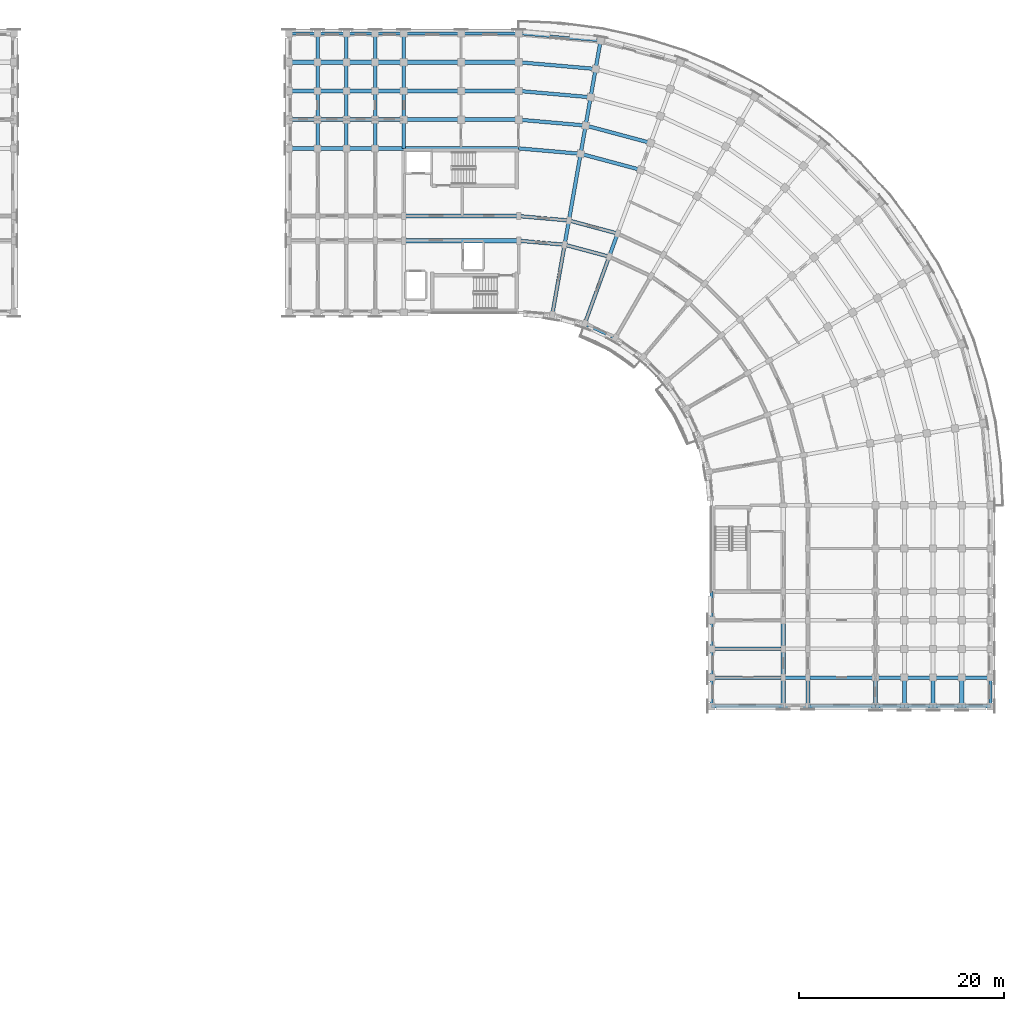
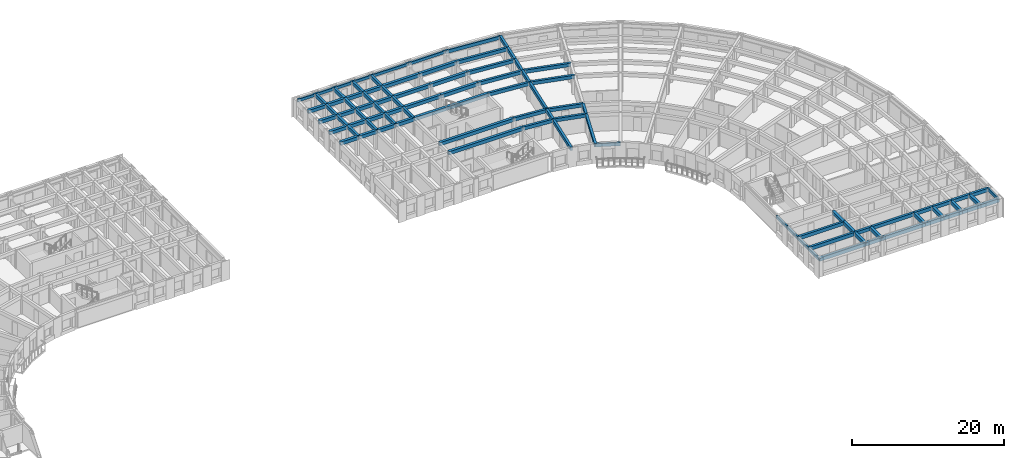
# One storey, part 11 of 57: 96 beams.
"""IFC4 building model written with IfcOpenShell, lengths in metres."""

from ifc_helpers import new_model, si_unit, direction, frame, origin, origin_2d, place, context, subcontext, project, spatial, rectangle, extrude, material, material_profile, profile_set, type_object, element, save


model = new_model("IFC4")

# Units and contexts
model_context = context("Model", 3, precision=1e-05, world=origin(), true_north=direction((0.0, 1.0)))
body_context = subcontext(model_context, "Body", "Model", "MODEL_VIEW")
ifc_project = project(units=[si_unit("LENGTHUNIT", "METRE"), si_unit("AREAUNIT", "SQUARE_METRE"), si_unit("VOLUMEUNIT", "CUBIC_METRE"), si_unit("PLANEANGLEUNIT", "RADIAN"), si_unit("MASSUNIT", "GRAM", prefix="KILO")], contexts=[model_context])

# Site, building, storey
site_placement = place(None, origin())
site = spatial("IfcSite", under=ifc_project, at=site_placement, CompositionType="ELEMENT")
building_placement = place(site_placement, origin())
building = spatial("IfcBuilding", under=site, at=building_placement, Name="Kiranvali Square Residences", CompositionType="ELEMENT")
storey_placement = place(building_placement, frame((0.0, 0.0, 24.449951171875)))
storey = spatial("IfcBuildingStorey", under=building, at=storey_placement, Name="L07", CompositionType="ELEMENT", Elevation=24.449951171875)

# Beams
ifc_material_1 = material(Name="Concrete M40 (40 MPa)", Category="concrete")
ifc_material_profile_1 = material_profile(ifc_material_1, rectangle(XDim=0.35009765625, YDim=0.550048828125, at=origin_2d()), Name="RC 350x550")
ifc_profile_set_1 = profile_set([ifc_material_profile_1], Name="Concrete M40 (40 MPa)")
beam_type_1 = type_object("IfcBeamType", Name="BM-M40-350x550", PredefinedType="BEAM", material=ifc_profile_set_1)
beam_1_placement = place(storey_placement, frame((119.800048828125, 113.60009765625, 2.655029296875), z_axis=(0.996191949488, -0.087187153726, 0.0), x_axis=(0.087187153726, 0.996191949488, 0.0)))
element("IfcBeam", 1, at=beam_1_placement, inside=storey, type_object=beam_type_1, Name="L07 beam BM-B-L07-C00-R1", PredefinedType="BEAM", context=body_context, shape_type="SweptSolid", body=[
    extrude(rectangle(XDim=0.35009765625, YDim=0.550048828125, at=origin_2d()), origin(), (0.0, 0.0, 1.0), 4.4970703125),
])
beam_2_placement = place(storey_placement, frame((119.800048828125, 116.0, 2.655029296875), z_axis=(0.996193663584, -0.087167566415, 0.0), x_axis=(0.087167566415, 0.996193663584, 0.0)))
element("IfcBeam", 2, at=beam_2_placement, inside=storey, type_object=beam_type_1, Name="L07 beam BM-B-L07-C00-R2", PredefinedType="BEAM", context=body_context, shape_type="SweptSolid", body=[
    extrude(rectangle(XDim=0.35009765625, YDim=0.550048828125, at=origin_2d()), origin(), (0.0, 0.0, 1.0), 4.91552734375),
])
beam_3_placement = place(storey_placement, frame((119.800048828125, 122.60009765625, 2.655029296875), z_axis=(0.996193018494, -0.087174938512, 0.0), x_axis=(0.087174938512, 0.996193018494, 0.0)))
element("IfcBeam", 3, at=beam_3_placement, inside=storey, type_object=beam_type_1, Name="L07 beam BM-B-L07-C00-R3", PredefinedType="BEAM", context=body_context, shape_type="SweptSolid", body=[
    extrude(rectangle(XDim=0.35009765625, YDim=0.550048828125, at=origin_2d()), origin(), (0.0, 0.0, 1.0), 6.066162109375),
])
beam_4_placement = place(storey_placement, frame((119.800048828125, 125.39990234375, 2.655029296875), z_axis=(0.996196991902, -0.0871295204, 0.0), x_axis=(0.0871295204, 0.996196991902, 0.0)))
element("IfcBeam", 4, at=beam_4_placement, inside=storey, type_object=beam_type_1, Name="L07 beam BM-B-L07-C00-R4", PredefinedType="BEAM", context=body_context, shape_type="SweptSolid", body=[
    extrude(rectangle(XDim=0.35009765625, YDim=0.550048828125, at=origin_2d()), origin(), (0.0, 0.0, 1.0), 6.553955078125),
])
beam_5_placement = place(storey_placement, frame((119.800048828125, 128.199951171875, 2.655029296875), z_axis=(0.996194658198, -0.087156198737, 0.0), x_axis=(0.087156198737, 0.996194658198, 0.0)))
element("IfcBeam", 5, at=beam_5_placement, inside=storey, type_object=beam_type_1, Name="L07 beam BM-B-L07-C00-R5", PredefinedType="BEAM", context=body_context, shape_type="SweptSolid", body=[
    extrude(rectangle(XDim=0.35009765625, YDim=0.550048828125, at=origin_2d()), origin(), (0.0, 0.0, 1.0), 7.042236328125),
])
beam_6_placement = place(storey_placement, frame((119.800048828125, 131.0, 2.655029296875), z_axis=(0.996195195417, -0.087150058103, 0.0), x_axis=(0.087150058103, 0.996195195417, 0.0)))
element("IfcBeam", 6, at=beam_6_placement, inside=storey, type_object=beam_type_1, Name="L07 beam BM-B-L07-C00-R6", PredefinedType="BEAM", context=body_context, shape_type="SweptSolid", body=[
    extrude(rectangle(XDim=0.35009765625, YDim=0.550048828125, at=origin_2d()), origin(), (0.0, 0.0, 1.0), 7.530029296875),
])
beam_7_placement = place(storey_placement, frame((124.280029296875, 113.2080078125, 2.655029296875), z_axis=(0.965934240054, -0.258787642463, 0.0), x_axis=(0.258787642463, 0.965934240054, 0.0)))
element("IfcBeam", 7, at=beam_7_placement, inside=storey, type_object=beam_type_1, Name="L07 beam BM-B-L07-C01-R1", PredefinedType="BEAM", context=body_context, shape_type="SweptSolid", body=[
    extrude(rectangle(XDim=0.35009765625, YDim=0.550048828125, at=origin_2d()), origin(), (0.0, 0.0, 1.0), 4.497314453125),
])
beam_8_placement = place(storey_placement, frame((124.69677734375, 115.571533203125, 2.655029296875), z_axis=(0.965930095386, -0.258803112091, 0.0), x_axis=(0.258803112091, 0.965930095386, 0.0)))
element("IfcBeam", 8, at=beam_8_placement, inside=storey, type_object=beam_type_1, Name="L07 beam BM-B-L07-C01-R2", PredefinedType="BEAM", context=body_context, shape_type="SweptSolid", body=[
    extrude(rectangle(XDim=0.35009765625, YDim=0.550048828125, at=origin_2d()), origin(), (0.0, 0.0, 1.0), 4.915771484375),
])
beam_9_placement = place(storey_placement, frame((125.843017578125, 122.0712890625, 2.655029296875), z_axis=(0.965923618901, -0.258827283048, 0.0), x_axis=(0.258827283048, 0.965923618901, 0.0)))
element("IfcBeam", 9, at=beam_9_placement, inside=storey, type_object=beam_type_1, Name="L07 beam BM-B-L07-C01-R3", PredefinedType="BEAM", context=body_context, shape_type="SweptSolid", body=[
    extrude(rectangle(XDim=0.35009765625, YDim=0.550048828125, at=origin_2d()), origin(), (0.0, 0.0, 1.0), 6.066162109375),
])
beam_10_placement = place(storey_placement, frame((126.3291015625, 124.828857421875, 2.655029296875), z_axis=(0.965918287583, -0.258847178297, 0.0), x_axis=(0.258847178297, 0.965918287583, 0.0)))
element("IfcBeam", 10, at=beam_10_placement, inside=storey, type_object=beam_type_1, Name="L07 beam BM-B-L07-C01-R4", PredefinedType="BEAM", context=body_context, shape_type="SweptSolid", body=[
    extrude(rectangle(XDim=0.35009765625, YDim=0.550048828125, at=origin_2d()), origin(), (0.0, 0.0, 1.0), 6.55419921875),
])
beam_11_placement = place(storey_placement, frame((123.064697265625, 106.314453125, 2.655029296875), z_axis=(0.173622177865, 0.984812337125, 0.0), x_axis=(-0.984812337125, 0.173622177865, 0.0)))
element("IfcBeam", 11, at=beam_11_placement, inside=storey, type_object=beam_type_1, Name="L07 beam BM-B-L07-RAD01-01", PredefinedType="BEAM", context=body_context, shape_type="SweptSolid", body=[
    extrude(rectangle(XDim=0.35009765625, YDim=0.550048828125, at=origin_2d()), origin(), (0.0, 0.0, 1.0), 6.999755859375),
])
beam_12_placement = place(storey_placement, frame((124.280029296875, 113.2080078125, 2.655029296875), z_axis=(0.173646056486, 0.984808127031, 0.0), x_axis=(-0.984808127031, 0.173646056486, 0.0)))
element("IfcBeam", 12, at=beam_12_placement, inside=storey, type_object=beam_type_1, Name="L07 beam BM-B-L07-RAD01-12", PredefinedType="BEAM", context=body_context, shape_type="SweptSolid", body=[
    extrude(rectangle(XDim=0.35009765625, YDim=0.550048828125, at=origin_2d()), origin(), (0.0, 0.0, 1.0), 2.39990234375),
])
beam_13_placement = place(storey_placement, frame((124.69677734375, 115.571533203125, 2.655029296875), z_axis=(0.173671381499, 0.984803661269, 0.0), x_axis=(-0.984803661269, 0.173671381499, 0.0)))
element("IfcBeam", 13, at=beam_13_placement, inside=storey, type_object=beam_type_1, Name="L07 beam BM-B-L07-RAD01-23", PredefinedType="BEAM", context=body_context, shape_type="SweptSolid", body=[
    extrude(rectangle(XDim=0.35009765625, YDim=0.550048828125, at=origin_2d()), origin(), (0.0, 0.0, 1.0), 6.60009765625),
])
beam_14_placement = place(storey_placement, frame((125.843017578125, 122.0712890625, 2.655029296875), z_axis=(0.173596320392, 0.984816895441, 0.0), x_axis=(-0.984816895441, 0.173596320392, 0.0)))
element("IfcBeam", 14, at=beam_14_placement, inside=storey, type_object=beam_type_1, Name="L07 beam BM-B-L07-RAD01-34", PredefinedType="BEAM", context=body_context, shape_type="SweptSolid", body=[
    extrude(rectangle(XDim=0.35009765625, YDim=0.550048828125, at=origin_2d()), origin(), (0.0, 0.0, 1.0), 2.800048828125),
])
beam_15_placement = place(storey_placement, frame((126.3291015625, 124.828857421875, 2.655029296875), z_axis=(0.173695795656, 0.984799355489, 0.0), x_axis=(-0.984799355489, 0.173695795656, 0.0)))
element("IfcBeam", 15, at=beam_15_placement, inside=storey, type_object=beam_type_1, Name="L07 beam BM-B-L07-RAD01-45", PredefinedType="BEAM", context=body_context, shape_type="SweptSolid", body=[
    extrude(rectangle(XDim=0.35009765625, YDim=0.550048828125, at=origin_2d()), origin(), (0.0, 0.0, 1.0), 2.7998046875),
])
beam_16_placement = place(storey_placement, frame((126.8154296875, 127.586181640625, 2.655029296875), z_axis=(0.173596320392, 0.984816895441, 0.0), x_axis=(-0.984816895441, 0.173596320392, 0.0)))
element("IfcBeam", 16, at=beam_16_placement, inside=storey, type_object=beam_type_1, Name="L07 beam BM-B-L07-RAD01-56", PredefinedType="BEAM", context=body_context, shape_type="SweptSolid", body=[
    extrude(rectangle(XDim=0.35009765625, YDim=0.550048828125, at=origin_2d()), origin(), (0.0, 0.0, 1.0), 2.800048828125),
])
beam_17_placement = place(storey_placement, frame((127.301513671875, 130.34375, 2.655029296875), z_axis=(0.173695795656, 0.984799355489, 0.0), x_axis=(-0.984799355489, 0.173695795656, 0.0)))
element("IfcBeam", 17, at=beam_17_placement, inside=storey, type_object=beam_type_1, Name="L07 beam BM-B-L07-RAD01-67", PredefinedType="BEAM", context=body_context, shape_type="SweptSolid", body=[
    extrude(rectangle(XDim=0.35009765625, YDim=0.550048828125, at=origin_2d()), origin(), (0.0, 0.0, 1.0), 2.7998046875),
])
beam_18_placement = place(storey_placement, frame((126.22998046875, 105.46630859375, 2.655029296875), z_axis=(0.342006283793, 0.939697665127, 0.0), x_axis=(-0.939697665127, 0.342006283793, 0.0)))
element("IfcBeam", 18, at=beam_18_placement, inside=storey, type_object=beam_type_1, Name="L07 beam BM-B-L07-RAD02-01", PredefinedType="BEAM", context=body_context, shape_type="SweptSolid", body=[
    extrude(rectangle(XDim=0.35009765625, YDim=0.550048828125, at=origin_2d()), origin(), (0.0, 0.0, 1.0), 7.0),
])
beam_19_placement = place(storey_placement, frame((128.6240234375, 112.044189453125, 2.655029296875), z_axis=(0.342110593602, 0.939659694648, 0.0), x_axis=(-0.939659694648, 0.342110593602, 0.0)))
element("IfcBeam", 19, at=beam_19_placement, inside=storey, type_object=beam_type_1, Name="L07 beam BM-B-L07-RAD02-12", PredefinedType="BEAM", context=body_context, shape_type="SweptSolid", body=[
    extrude(rectangle(XDim=0.35009765625, YDim=0.550048828125, at=origin_2d()), origin(), (0.0, 0.0, 1.0), 2.39990234375),
])
beam_20_placement = place(storey_placement, frame((108.60009765625, 122.60009765625, 2.655029296875), z_axis=(0.0, 1.0, 0.0), x_axis=(-1.0, 0.0, 0.0)))
element("IfcBeam", 20, at=beam_20_placement, inside=storey, type_object=beam_type_1, Name="L07 beam BM-B-L07-A1T1-34", PredefinedType="BEAM", context=body_context, shape_type="SweptSolid", body=[
    extrude(rectangle(XDim=0.35009765625, YDim=0.550048828125, at=origin_2d()), origin(), (0.0, 0.0, 1.0), 2.7998046875),
])
for number, where, z_axis, x_axis, name in (
    (21, (108.60009765625, 125.39990234375, 2.655029296875), (0.0, 1.0, 0.0), (-1.0, 0.0, 0.0), "L07 beam BM-B-L07-A1T1-45"),
    (22, (108.60009765625, 128.199951171875, 2.655029296875), (0.0, 1.0, 0.0), (-1.0, 0.0, 0.0), "L07 beam BM-B-L07-A1T1-56"),
    (23, (108.60009765625, 131.0, 2.655029296875), (0.0, 1.0, 0.0), (-1.0, 0.0, 0.0), "L07 beam BM-B-L07-A1T1-67"),
):
    element("IfcBeam", number, at=place(storey_placement, frame(where, z_axis=z_axis, x_axis=x_axis)), inside=storey, type_object=beam_type_1, Name=name, PredefinedType="BEAM", context=body_context, shape_type="SweptSolid", body=[
        extrude(rectangle(XDim=0.35009765625, YDim=0.550048828125, at=origin_2d()), origin(), (0.0, 0.0, 1.0), 2.800048828125),
    ])
beam_21_placement = place(storey_placement, frame((105.800048828125, 122.60009765625, 2.655029296875), z_axis=(0.0, 1.0, 0.0), x_axis=(-1.0, 0.0, 0.0)))
element("IfcBeam", 24, at=beam_21_placement, inside=storey, type_object=beam_type_1, Name="L07 beam BM-B-L07-A1T2-34", PredefinedType="BEAM", context=body_context, shape_type="SweptSolid", body=[
    extrude(rectangle(XDim=0.35009765625, YDim=0.550048828125, at=origin_2d()), origin(), (0.0, 0.0, 1.0), 2.7998046875),
])
for number, where, z_axis, x_axis, name in (
    (25, (105.800048828125, 125.39990234375, 2.655029296875), (0.0, 1.0, 0.0), (-1.0, 0.0, 0.0), "L07 beam BM-B-L07-A1T2-45"),
    (26, (105.800048828125, 128.199951171875, 2.655029296875), (0.0, 1.0, 0.0), (-1.0, 0.0, 0.0), "L07 beam BM-B-L07-A1T2-56"),
    (27, (105.800048828125, 131.0, 2.655029296875), (0.0, 1.0, 0.0), (-1.0, 0.0, 0.0), "L07 beam BM-B-L07-A1T2-67"),
):
    element("IfcBeam", number, at=place(storey_placement, frame(where, z_axis=z_axis, x_axis=x_axis)), inside=storey, type_object=beam_type_1, Name=name, PredefinedType="BEAM", context=body_context, shape_type="SweptSolid", body=[
        extrude(rectangle(XDim=0.35009765625, YDim=0.550048828125, at=origin_2d()), origin(), (0.0, 0.0, 1.0), 2.800048828125),
    ])
beam_22_placement = place(storey_placement, frame((103.0, 122.60009765625, 2.655029296875), z_axis=(0.0, 1.0, 0.0), x_axis=(-1.0, 0.0, 0.0)))
element("IfcBeam", 28, at=beam_22_placement, inside=storey, type_object=beam_type_1, Name="L07 beam BM-B-L07-A1T3-34", PredefinedType="BEAM", context=body_context, shape_type="SweptSolid", body=[
    extrude(rectangle(XDim=0.35009765625, YDim=0.550048828125, at=origin_2d()), origin(), (0.0, 0.0, 1.0), 2.7998046875),
])
for number, where, z_axis, x_axis, name in (
    (29, (103.0, 125.39990234375, 2.655029296875), (0.0, 1.0, 0.0), (-1.0, 0.0, 0.0), "L07 beam BM-B-L07-A1T3-45"),
    (30, (103.0, 128.199951171875, 2.655029296875), (0.0, 1.0, 0.0), (-1.0, 0.0, 0.0), "L07 beam BM-B-L07-A1T3-56"),
    (31, (103.0, 131.0, 2.655029296875), (0.0, 1.0, 0.0), (-1.0, 0.0, 0.0), "L07 beam BM-B-L07-A1T3-67"),
):
    element("IfcBeam", number, at=place(storey_placement, frame(where, z_axis=z_axis, x_axis=x_axis)), inside=storey, type_object=beam_type_1, Name=name, PredefinedType="BEAM", context=body_context, shape_type="SweptSolid", body=[
        extrude(rectangle(XDim=0.35009765625, YDim=0.550048828125, at=origin_2d()), origin(), (0.0, 0.0, 1.0), 2.800048828125),
    ])
beam_23_placement = place(storey_placement, frame((100.199951171875, 122.60009765625, 2.655029296875), z_axis=(0.0, 1.0, 0.0), x_axis=(-1.0, 0.0, 0.0)))
element("IfcBeam", 32, at=beam_23_placement, inside=storey, type_object=beam_type_1, Name="L07 beam BM-B-L07-A1T4-34", PredefinedType="BEAM", context=body_context, shape_type="SweptSolid", body=[
    extrude(rectangle(XDim=0.35009765625, YDim=0.550048828125, at=origin_2d()), origin(), (0.0, 0.0, 1.0), 2.7998046875),
])
for number, where, z_axis, x_axis, name in (
    (33, (100.199951171875, 125.39990234375, 2.655029296875), (0.0, 1.0, 0.0), (-1.0, 0.0, 0.0), "L07 beam BM-B-L07-A1T4-45"),
    (34, (100.199951171875, 128.199951171875, 2.655029296875), (0.0, 1.0, 0.0), (-1.0, 0.0, 0.0), "L07 beam BM-B-L07-A1T4-56"),
    (35, (100.199951171875, 131.0, 2.655029296875), (0.0, 1.0, 0.0), (-1.0, 0.0, 0.0), "L07 beam BM-B-L07-A1T4-67"),
):
    element("IfcBeam", number, at=place(storey_placement, frame(where, z_axis=z_axis, x_axis=x_axis)), inside=storey, type_object=beam_type_1, Name=name, PredefinedType="BEAM", context=body_context, shape_type="SweptSolid", body=[
        extrude(rectangle(XDim=0.35009765625, YDim=0.550048828125, at=origin_2d()), origin(), (0.0, 0.0, 1.0), 2.800048828125),
    ])
for number, where, z_axis, x_axis, name in (
    (36, (138.60009765625, 73.800048828125, 2.655029296875), (1.0, 0.0, 0.0), (0.0, 1.0, 0.0), "L07 beam BM-B-L07-A2T3-01"),
    (37, (138.60009765625, 71.0, 2.655029296875), (1.0, 0.0, 0.0), (0.0, 1.0, 0.0), "L07 beam BM-B-L07-A2T4-01"),
):
    element("IfcBeam", number, at=place(storey_placement, frame(where, z_axis=z_axis, x_axis=x_axis)), inside=storey, type_object=beam_type_1, Name=name, PredefinedType="BEAM", context=body_context, shape_type="SweptSolid", body=[
        extrude(rectangle(XDim=0.35009765625, YDim=0.550048828125, at=origin_2d()), origin(), (0.0, 0.0, 1.0), 7.0),
    ])
beam_24_placement = place(storey_placement, frame((145.60009765625, 71.0, 2.655029296875), z_axis=(1.0, 0.0, 0.0), x_axis=(0.0, 1.0, 0.0)))
element("IfcBeam", 38, at=beam_24_placement, inside=storey, type_object=beam_type_1, Name="L07 beam BM-B-L07-A2T4-12", PredefinedType="BEAM", context=body_context, shape_type="SweptSolid", body=[
    extrude(rectangle(XDim=0.35009765625, YDim=0.550048828125, at=origin_2d()), origin(), (0.0, 0.0, 1.0), 2.39990234375),
])
beam_25_placement = place(storey_placement, frame((148.0, 71.0, 2.655029296875), z_axis=(1.0, 0.0, 0.0), x_axis=(0.0, 1.0, 0.0)))
element("IfcBeam", 39, at=beam_25_placement, inside=storey, type_object=beam_type_1, Name="L07 beam BM-B-L07-A2T4-23", PredefinedType="BEAM", context=body_context, shape_type="SweptSolid", body=[
    extrude(rectangle(XDim=0.35009765625, YDim=0.550048828125, at=origin_2d()), origin(), (0.0, 0.0, 1.0), 6.60009765625),
])
beam_26_placement = place(storey_placement, frame((154.60009765625, 71.0, 2.655029296875), z_axis=(1.0, 0.0, 0.0), x_axis=(0.0, 1.0, 0.0)))
element("IfcBeam", 40, at=beam_26_placement, inside=storey, type_object=beam_type_1, Name="L07 beam BM-B-L07-A2T4-34", PredefinedType="BEAM", context=body_context, shape_type="SweptSolid", body=[
    extrude(rectangle(XDim=0.35009765625, YDim=0.550048828125, at=origin_2d()), origin(), (0.0, 0.0, 1.0), 2.7998046875),
])
for number, where, z_axis, x_axis, name in (
    (41, (157.39990234375, 71.0, 2.655029296875), (1.0, 0.0, 0.0), (0.0, 1.0, 0.0), "L07 beam BM-B-L07-A2T4-45"),
    (42, (160.199951171875, 71.0, 2.655029296875), (1.0, 0.0, 0.0), (0.0, 1.0, 0.0), "L07 beam BM-B-L07-A2T4-56"),
    (43, (163.0, 71.0, 2.655029296875), (1.0, 0.0, 0.0), (0.0, 1.0, 0.0), "L07 beam BM-B-L07-A2T4-67"),
):
    element("IfcBeam", number, at=place(storey_placement, frame(where, z_axis=z_axis, x_axis=x_axis)), inside=storey, type_object=beam_type_1, Name=name, PredefinedType="BEAM", context=body_context, shape_type="SweptSolid", body=[
        extrude(rectangle(XDim=0.35009765625, YDim=0.550048828125, at=origin_2d()), origin(), (0.0, 0.0, 1.0), 2.800048828125),
    ])
beam_27_placement = place(storey_placement, frame((138.60009765625, 68.199951171875, 2.655029296875), z_axis=(1.0, 0.0, 0.0), x_axis=(0.0, 1.0, 0.0)))
element("IfcBeam", 44, at=beam_27_placement, inside=storey, type_object=beam_type_1, Name="L07 beam BM-B-L07-A2T5-01", PredefinedType="BEAM", context=body_context, shape_type="SweptSolid", body=[
    extrude(rectangle(XDim=0.35009765625, YDim=0.550048828125, at=origin_2d()), origin(), (0.0, 0.0, 1.0), 7.0),
])
beam_28_placement = place(storey_placement, frame((145.60009765625, 68.199951171875, 2.655029296875), z_axis=(1.0, 0.0, 0.0), x_axis=(0.0, 1.0, 0.0)))
element("IfcBeam", 45, at=beam_28_placement, inside=storey, type_object=beam_type_1, Name="L07 beam BM-B-L07-A2T5-12", PredefinedType="BEAM", context=body_context, shape_type="SweptSolid", body=[
    extrude(rectangle(XDim=0.35009765625, YDim=0.550048828125, at=origin_2d()), origin(), (0.0, 0.0, 1.0), 2.39990234375),
])
beam_29_placement = place(storey_placement, frame((148.0, 68.199951171875, 2.655029296875), z_axis=(1.0, 0.0, 0.0), x_axis=(0.0, 1.0, 0.0)))
element("IfcBeam", 46, at=beam_29_placement, inside=storey, type_object=beam_type_1, Name="L07 beam BM-B-L07-A2T5-23", PredefinedType="BEAM", context=body_context, shape_type="SweptSolid", body=[
    extrude(rectangle(XDim=0.35009765625, YDim=0.550048828125, at=origin_2d()), origin(), (0.0, 0.0, 1.0), 6.60009765625),
])
beam_30_placement = place(storey_placement, frame((154.60009765625, 68.199951171875, 2.655029296875), z_axis=(1.0, 0.0, 0.0), x_axis=(0.0, 1.0, 0.0)))
element("IfcBeam", 47, at=beam_30_placement, inside=storey, type_object=beam_type_1, Name="L07 beam BM-B-L07-A2T5-34", PredefinedType="BEAM", context=body_context, shape_type="SweptSolid", body=[
    extrude(rectangle(XDim=0.35009765625, YDim=0.550048828125, at=origin_2d()), origin(), (0.0, 0.0, 1.0), 2.7998046875),
])
for number, where, z_axis, x_axis, name in (
    (48, (157.39990234375, 68.199951171875, 2.655029296875), (1.0, 0.0, 0.0), (0.0, 1.0, 0.0), "L07 beam BM-B-L07-A2T5-45"),
    (49, (160.199951171875, 68.199951171875, 2.655029296875), (1.0, 0.0, 0.0), (0.0, 1.0, 0.0), "L07 beam BM-B-L07-A2T5-56"),
    (50, (163.0, 68.199951171875, 2.655029296875), (1.0, 0.0, 0.0), (0.0, 1.0, 0.0), "L07 beam BM-B-L07-A2T5-67"),
):
    element("IfcBeam", number, at=place(storey_placement, frame(where, z_axis=z_axis, x_axis=x_axis)), inside=storey, type_object=beam_type_1, Name=name, PredefinedType="BEAM", context=body_context, shape_type="SweptSolid", body=[
        extrude(rectangle(XDim=0.35009765625, YDim=0.550048828125, at=origin_2d()), origin(), (0.0, 0.0, 1.0), 2.800048828125),
    ])
ifc_material_2 = material(Name="Concrete M45 (45 MPa)", Category="concrete")
ifc_material_profile_2 = material_profile(ifc_material_2, rectangle(XDim=0.39990234375, YDim=0.550048828125, at=origin_2d()), Name="RC 400x550")
ifc_profile_set_2 = profile_set([ifc_material_profile_2], Name="Concrete M45 (45 MPa)")
beam_type_2 = type_object("IfcBeamType", Name="BM-M45-400x550", PredefinedType="BEAM", material=ifc_profile_set_2)
for number, where, z_axis, x_axis, name in (
    (51, (119.800048828125, 113.60009765625, 2.655029296875), (-1.0, 0.0, 0.0), (0.0, -1.0, 0.0), "L07 beam BM-B-L07-A1U0-R1"),
    (52, (119.800048828125, 116.0, 2.655029296875), (-1.0, 0.0, 0.0), (0.0, -1.0, 0.0), "L07 beam BM-B-L07-A1U0-R2"),
    (53, (119.800048828125, 122.60009765625, 2.655029296875), (-1.0, 0.0, 0.0), (0.0, -1.0, 0.0), "L07 beam BM-B-L07-A1U0-R3"),
):
    element("IfcBeam", number, at=place(storey_placement, frame(where, z_axis=z_axis, x_axis=x_axis)), inside=storey, type_object=beam_type_2, Name=name, PredefinedType="BEAM", context=body_context, shape_type="SweptSolid", body=[
        extrude(rectangle(XDim=0.39990234375, YDim=0.550048828125, at=origin_2d()), origin(), (0.0, 0.0, 1.0), 11.199951171875),
    ])
for number, where, z_axis, x_axis, name in (
    (54, (108.60009765625, 122.60009765625, 2.655029296875), (-1.0, 0.0, 0.0), (0.0, -1.0, 0.0), "L07 beam BM-B-L07-A1U1-R3"),
    (55, (105.800048828125, 122.60009765625, 2.655029296875), (-1.0, 0.0, 0.0), (0.0, -1.0, 0.0), "L07 beam BM-B-L07-A1U2-R3"),
    (56, (103.0, 122.60009765625, 2.655029296875), (-1.0, 0.0, 0.0), (0.0, -1.0, 0.0), "L07 beam BM-B-L07-A1U3-R3"),
    (57, (100.199951171875, 122.60009765625, 2.655029296875), (-1.0, 0.0, 0.0), (0.0, -1.0, 0.0), "L07 beam BM-B-L07-A1U4-R3"),
):
    element("IfcBeam", number, at=place(storey_placement, frame(where, z_axis=z_axis, x_axis=x_axis)), inside=storey, type_object=beam_type_2, Name=name, PredefinedType="BEAM", context=body_context, shape_type="SweptSolid", body=[
        extrude(rectangle(XDim=0.39990234375, YDim=0.550048828125, at=origin_2d()), origin(), (0.0, 0.0, 1.0), 2.800048828125),
    ])
beam_31_placement = place(storey_placement, frame((119.800048828125, 125.39990234375, 2.655029296875), z_axis=(-1.0, 0.0, 0.0), x_axis=(0.0, -1.0, 0.0)))
element("IfcBeam", 58, at=beam_31_placement, inside=storey, type_object=beam_type_2, Name="L07 beam BM-B-L07-A1U0-R4", PredefinedType="BEAM", context=body_context, shape_type="SweptSolid", body=[
    extrude(rectangle(XDim=0.39990234375, YDim=0.550048828125, at=origin_2d()), origin(), (0.0, 0.0, 1.0), 5.60009765625),
])
beam_32_placement = place(storey_placement, frame((114.199951171875, 125.39990234375, 2.655029296875), z_axis=(-1.0, 0.0, 0.0), x_axis=(0.0, -1.0, 0.0)))
element("IfcBeam", 59, at=beam_32_placement, inside=storey, type_object=beam_type_2, Name="L07 beam BM-B-L07-A1U1-R4", PredefinedType="BEAM", context=body_context, shape_type="SweptSolid", body=[
    extrude(rectangle(XDim=0.39990234375, YDim=0.550048828125, at=origin_2d()), origin(), (0.0, 0.0, 1.0), 5.599853515625),
])
for number, where, z_axis, x_axis, name in (
    (60, (108.60009765625, 125.39990234375, 2.655029296875), (-1.0, 0.0, 0.0), (0.0, -1.0, 0.0), "L07 beam BM-B-L07-A1U2-R4"),
    (61, (105.800048828125, 125.39990234375, 2.655029296875), (-1.0, 0.0, 0.0), (0.0, -1.0, 0.0), "L07 beam BM-B-L07-A1U3-R4"),
    (62, (103.0, 125.39990234375, 2.655029296875), (-1.0, 0.0, 0.0), (0.0, -1.0, 0.0), "L07 beam BM-B-L07-A1U4-R4"),
    (63, (100.199951171875, 125.39990234375, 2.655029296875), (-1.0, 0.0, 0.0), (0.0, -1.0, 0.0), "L07 beam BM-B-L07-A1U5-R4"),
):
    element("IfcBeam", number, at=place(storey_placement, frame(where, z_axis=z_axis, x_axis=x_axis)), inside=storey, type_object=beam_type_2, Name=name, PredefinedType="BEAM", context=body_context, shape_type="SweptSolid", body=[
        extrude(rectangle(XDim=0.39990234375, YDim=0.550048828125, at=origin_2d()), origin(), (0.0, 0.0, 1.0), 2.800048828125),
    ])
beam_33_placement = place(storey_placement, frame((119.800048828125, 128.199951171875, 2.655029296875), z_axis=(-1.0, 0.0, 0.0), x_axis=(0.0, -1.0, 0.0)))
element("IfcBeam", 64, at=beam_33_placement, inside=storey, type_object=beam_type_2, Name="L07 beam BM-B-L07-A1U0-R5", PredefinedType="BEAM", context=body_context, shape_type="SweptSolid", body=[
    extrude(rectangle(XDim=0.39990234375, YDim=0.550048828125, at=origin_2d()), origin(), (0.0, 0.0, 1.0), 5.60009765625),
])
beam_34_placement = place(storey_placement, frame((114.199951171875, 128.199951171875, 2.655029296875), z_axis=(-1.0, 0.0, 0.0), x_axis=(0.0, -1.0, 0.0)))
element("IfcBeam", 65, at=beam_34_placement, inside=storey, type_object=beam_type_2, Name="L07 beam BM-B-L07-A1U1-R5", PredefinedType="BEAM", context=body_context, shape_type="SweptSolid", body=[
    extrude(rectangle(XDim=0.39990234375, YDim=0.550048828125, at=origin_2d()), origin(), (0.0, 0.0, 1.0), 5.599853515625),
])
for number, where, z_axis, x_axis, name in (
    (66, (108.60009765625, 128.199951171875, 2.655029296875), (-1.0, 0.0, 0.0), (0.0, -1.0, 0.0), "L07 beam BM-B-L07-A1U2-R5"),
    (67, (105.800048828125, 128.199951171875, 2.655029296875), (-1.0, 0.0, 0.0), (0.0, -1.0, 0.0), "L07 beam BM-B-L07-A1U3-R5"),
    (68, (103.0, 128.199951171875, 2.655029296875), (-1.0, 0.0, 0.0), (0.0, -1.0, 0.0), "L07 beam BM-B-L07-A1U4-R5"),
    (69, (100.199951171875, 128.199951171875, 2.655029296875), (-1.0, 0.0, 0.0), (0.0, -1.0, 0.0), "L07 beam BM-B-L07-A1U5-R5"),
):
    element("IfcBeam", number, at=place(storey_placement, frame(where, z_axis=z_axis, x_axis=x_axis)), inside=storey, type_object=beam_type_2, Name=name, PredefinedType="BEAM", context=body_context, shape_type="SweptSolid", body=[
        extrude(rectangle(XDim=0.39990234375, YDim=0.550048828125, at=origin_2d()), origin(), (0.0, 0.0, 1.0), 2.800048828125),
    ])
beam_35_placement = place(storey_placement, frame((119.800048828125, 131.0, 2.655029296875), z_axis=(-1.0, 0.0, 0.0), x_axis=(0.0, -1.0, 0.0)))
element("IfcBeam", 70, at=beam_35_placement, inside=storey, type_object=beam_type_2, Name="L07 beam BM-B-L07-A1U0-R6", PredefinedType="BEAM", context=body_context, shape_type="SweptSolid", body=[
    extrude(rectangle(XDim=0.39990234375, YDim=0.550048828125, at=origin_2d()), origin(), (0.0, 0.0, 1.0), 5.60009765625),
])
beam_36_placement = place(storey_placement, frame((114.199951171875, 131.0, 2.655029296875), z_axis=(-1.0, 0.0, 0.0), x_axis=(0.0, -1.0, 0.0)))
element("IfcBeam", 71, at=beam_36_placement, inside=storey, type_object=beam_type_2, Name="L07 beam BM-B-L07-A1U1-R6", PredefinedType="BEAM", context=body_context, shape_type="SweptSolid", body=[
    extrude(rectangle(XDim=0.39990234375, YDim=0.550048828125, at=origin_2d()), origin(), (0.0, 0.0, 1.0), 5.599853515625),
])
for number, where, z_axis, x_axis, name in (
    (72, (108.60009765625, 131.0, 2.655029296875), (-1.0, 0.0, 0.0), (0.0, -1.0, 0.0), "L07 beam BM-B-L07-A1U2-R6"),
    (73, (105.800048828125, 131.0, 2.655029296875), (-1.0, 0.0, 0.0), (0.0, -1.0, 0.0), "L07 beam BM-B-L07-A1U3-R6"),
    (74, (103.0, 131.0, 2.655029296875), (-1.0, 0.0, 0.0), (0.0, -1.0, 0.0), "L07 beam BM-B-L07-A1U4-R6"),
    (75, (100.199951171875, 131.0, 2.655029296875), (-1.0, 0.0, 0.0), (0.0, -1.0, 0.0), "L07 beam BM-B-L07-A1U5-R6"),
    (76, (145.60009765625, 76.60009765625, 2.655029296875), (0.0, -1.0, 0.0), (1.0, 0.0, 0.0), "L07 beam BM-B-L07-A2V2-R1"),
    (77, (145.60009765625, 73.800048828125, 2.655029296875), (0.0, -1.0, 0.0), (1.0, 0.0, 0.0), "L07 beam BM-B-L07-A2V3-R1"),
    (78, (145.60009765625, 71.0, 2.655029296875), (0.0, -1.0, 0.0), (1.0, 0.0, 0.0), "L07 beam BM-B-L07-A2V4-R1"),
    (79, (148.0, 71.0, 2.655029296875), (0.0, -1.0, 0.0), (1.0, 0.0, 0.0), "L07 beam BM-B-L07-A2V5-R2"),
    (80, (154.60009765625, 71.0, 2.655029296875), (0.0, -1.0, 0.0), (1.0, 0.0, 0.0), "L07 beam BM-B-L07-A2V5-R3"),
    (81, (157.39990234375, 71.0, 2.655029296875), (0.0, -1.0, 0.0), (1.0, 0.0, 0.0), "L07 beam BM-B-L07-A2V5-R4"),
    (82, (160.199951171875, 71.0, 2.655029296875), (0.0, -1.0, 0.0), (1.0, 0.0, 0.0), "L07 beam BM-B-L07-A2V5-R5"),
    (83, (163.0, 71.0, 2.655029296875), (0.0, -1.0, 0.0), (1.0, 0.0, 0.0), "L07 beam BM-B-L07-A2V5-R6"),
):
    element("IfcBeam", number, at=place(storey_placement, frame(where, z_axis=z_axis, x_axis=x_axis)), inside=storey, type_object=beam_type_2, Name=name, PredefinedType="BEAM", context=body_context, shape_type="SweptSolid", body=[
        extrude(rectangle(XDim=0.39990234375, YDim=0.550048828125, at=origin_2d()), origin(), (0.0, 0.0, 1.0), 2.800048828125),
    ])
ifc_material_profile_3 = material_profile(ifc_material_1, rectangle(XDim=0.25, YDim=0.449951171875, at=origin_2d()), Name="RC 250x450")
ifc_profile_set_3 = profile_set([ifc_material_profile_3], Name="Concrete M40 (40 MPa)")
beam_type_3 = type_object("IfcBeamType", Name="SPN-M40-250x450", PredefinedType="SPANDREL", material=ifc_profile_set_3)
beam_37_placement = place(storey_placement, frame((119.800048828125, 133.800048828125, 2.705078125), z_axis=(-1.0, 0.0, 0.0), x_axis=(0.0, -1.0, 0.0)))
element("IfcBeam", 84, at=beam_37_placement, inside=storey, type_object=beam_type_3, Name="L07 beam BM-B-L07-A1U0-R7", PredefinedType="SPANDREL", context=body_context, shape_type="SweptSolid", body=[
    extrude(rectangle(XDim=0.25, YDim=0.449951171875, at=origin_2d()), origin(), (0.0, 0.0, 1.0), 5.60009765625),
])
beam_38_placement = place(storey_placement, frame((114.199951171875, 133.800048828125, 2.705078125), z_axis=(-1.0, 0.0, 0.0), x_axis=(0.0, -1.0, 0.0)))
element("IfcBeam", 85, at=beam_38_placement, inside=storey, type_object=beam_type_3, Name="L07 beam BM-B-L07-A1U1-R7", PredefinedType="SPANDREL", context=body_context, shape_type="SweptSolid", body=[
    extrude(rectangle(XDim=0.25, YDim=0.449951171875, at=origin_2d()), origin(), (0.0, 0.0, 1.0), 5.599853515625),
])
for number, where, z_axis, x_axis, name in (
    (86, (108.60009765625, 133.800048828125, 2.705078125), (-1.0, 0.0, 0.0), (0.0, -1.0, 0.0), "L07 beam BM-B-L07-A1U2-R7"),
    (87, (105.800048828125, 133.800048828125, 2.705078125), (-1.0, 0.0, 0.0), (0.0, -1.0, 0.0), "L07 beam BM-B-L07-A1U3-R7"),
    (88, (103.0, 133.800048828125, 2.705078125), (-1.0, 0.0, 0.0), (0.0, -1.0, 0.0), "L07 beam BM-B-L07-A1U4-R7"),
    (89, (100.199951171875, 133.800048828125, 2.705078125), (-1.0, 0.0, 0.0), (0.0, -1.0, 0.0), "L07 beam BM-B-L07-A1U5-R7"),
):
    element("IfcBeam", number, at=place(storey_placement, frame(where, z_axis=z_axis, x_axis=x_axis)), inside=storey, type_object=beam_type_3, Name=name, PredefinedType="SPANDREL", context=body_context, shape_type="SweptSolid", body=[
        extrude(rectangle(XDim=0.25, YDim=0.449951171875, at=origin_2d()), origin(), (0.0, 0.0, 1.0), 2.800048828125),
    ])
beam_39_placement = place(storey_placement, frame((138.60009765625, 79.39990234375, 2.705078125), z_axis=(0.0, -1.0, 0.0), x_axis=(1.0, 0.0, 0.0)))
element("IfcBeam", 90, at=beam_39_placement, inside=storey, type_object=beam_type_3, Name="L07 beam BM-B-L07-A2V1-R0", PredefinedType="SPANDREL", context=body_context, shape_type="SweptSolid", body=[
    extrude(rectangle(XDim=0.25, YDim=0.449951171875, at=origin_2d()), origin(), (0.0, 0.0, 1.0), 2.7998046875),
])
for number, where, z_axis, x_axis, name in (
    (91, (138.60009765625, 76.60009765625, 2.705078125), (0.0, -1.0, 0.0), (1.0, 0.0, 0.0), "L07 beam BM-B-L07-A2V2-R0"),
    (92, (138.60009765625, 73.800048828125, 2.705078125), (0.0, -1.0, 0.0), (1.0, 0.0, 0.0), "L07 beam BM-B-L07-A2V3-R0"),
    (93, (138.60009765625, 71.0, 2.705078125), (0.0, -1.0, 0.0), (1.0, 0.0, 0.0), "L07 beam BM-B-L07-A2V4-R0"),
    (94, (165.800048828125, 71.0, 2.705078125), (0.0, -1.0, 0.0), (1.0, 0.0, 0.0), "L07 beam BM-B-L07-A2V5-R7"),
):
    element("IfcBeam", number, at=place(storey_placement, frame(where, z_axis=z_axis, x_axis=x_axis)), inside=storey, type_object=beam_type_3, Name=name, PredefinedType="SPANDREL", context=body_context, shape_type="SweptSolid", body=[
        extrude(rectangle(XDim=0.25, YDim=0.449951171875, at=origin_2d()), origin(), (0.0, 0.0, 1.0), 2.800048828125),
    ])
ifc_material_profile_4 = material_profile(ifc_material_1, rectangle(XDim=0.25, YDim=0.5, at=origin_2d()), Name="RC 250x500")
ifc_profile_set_4 = profile_set([ifc_material_profile_4], Name="Concrete M40 (40 MPa)")
beam_type_4 = type_object("IfcBeamType", Name="SPN-M40-250x500", PredefinedType="SPANDREL", material=ifc_profile_set_4)
beam_40_placement = place(storey_placement, frame((126.22998046875, 105.46630859375, 2.679931640625), z_axis=(0.90629730464, -0.422640740585, 0.0), x_axis=(0.422640740585, 0.90629730464, 0.0)))
element("IfcBeam", 95, at=beam_40_placement, inside=storey, type_object=beam_type_4, Name="L07 beam BM-B-L07-C02-R0", PredefinedType="SPANDREL", context=body_context, shape_type="SweptSolid", body=[
    extrude(rectangle(XDim=0.25, YDim=0.5, at=origin_2d()), origin(), (0.0, 0.0, 1.0), 3.277099609375),
])
ifc_material_profile_5 = material_profile(ifc_material_1, rectangle(XDim=0.25, YDim=0.550048828125, at=origin_2d()), Name="RC 250x550")
ifc_profile_set_5 = profile_set([ifc_material_profile_5], Name="Concrete M40 (40 MPa)")
beam_type_5 = type_object("IfcBeamType", Name="SPN-M40-250x550", PredefinedType="SPANDREL", material=ifc_profile_set_5)
beam_41_placement = place(storey_placement, frame((119.800048828125, 133.800048828125, 2.655029296875), z_axis=(0.996193254792, -0.087172238171, 0.0), x_axis=(0.087172238171, 0.996193254792, 0.0)))
element("IfcBeam", 96, at=beam_41_placement, inside=storey, type_object=beam_type_5, Name="L07 beam BM-B-L07-C00-R7", PredefinedType="SPANDREL", context=body_context, shape_type="SweptSolid", body=[
    extrude(rectangle(XDim=0.25, YDim=0.550048828125, at=origin_2d()), origin(), (0.0, 0.0, 1.0), 8.018310546875),
])

save(model, "model.ifc")
